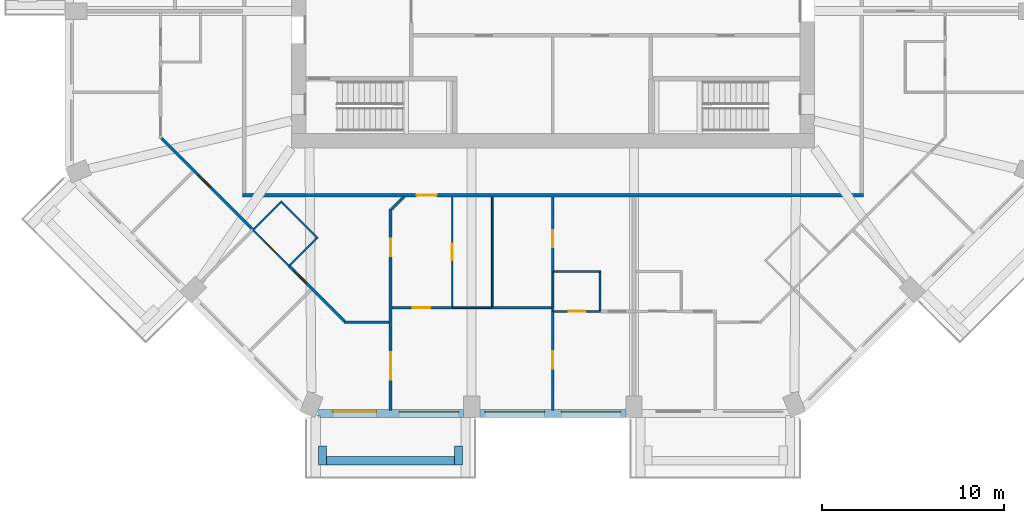
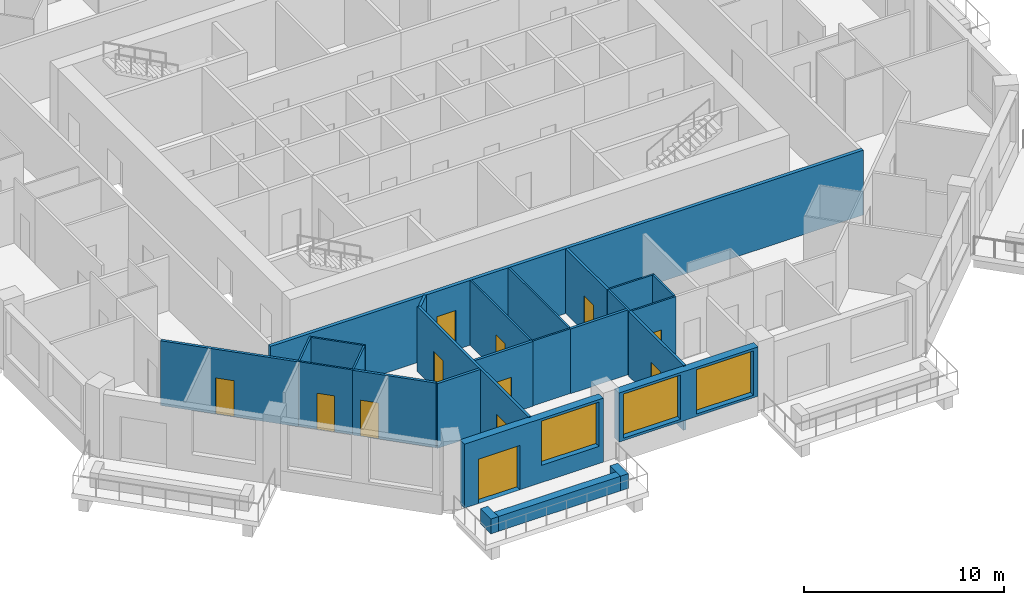
# One storey, part 3 of 13: 26 walls, 12 doors, 3 windows, 15 openings.
"""IFC4 building model written with IfcOpenShell, lengths in metres."""

from ifc_helpers import new_model, si_unit, direction, frame, frame_2d, origin, place, context, subcontext, project, spatial, rectangle, extrude, material, layer, layer_set, type_object, element, fill, save


model = new_model("IFC4")

# Units and contexts
model_context = context("Model", 3, precision=1e-05, world=origin(), true_north=direction((0.0, 1.0)))
body_context = subcontext(model_context, "Body", "Model", "MODEL_VIEW")
ifc_project = project(units=[si_unit("LENGTHUNIT", "METRE"), si_unit("AREAUNIT", "SQUARE_METRE"), si_unit("VOLUMEUNIT", "CUBIC_METRE"), si_unit("PLANEANGLEUNIT", "RADIAN"), si_unit("MASSUNIT", "GRAM", prefix="KILO")], contexts=[model_context])

# Site, building, storey
site_placement = place(None, origin())
site = spatial("IfcSite", under=ifc_project, at=site_placement, CompositionType="ELEMENT")
building_placement = place(site_placement, origin())
building = spatial("IfcBuilding", under=site, at=building_placement, Name="Msitu Wima Residences", CompositionType="ELEMENT")
storey_placement = place(building_placement, frame((0.0, 0.0, 110.699951171875)))
storey = spatial("IfcBuildingStorey", under=building, at=storey_placement, Name="L25", CompositionType="ELEMENT", Elevation=110.699951171875)

# Walls
ifc_material_1 = material(Name="Facing brick")
ifc_layer_1 = layer(ifc_material_1, 0.06494140625, Name="Facing brick")
ifc_material_2 = material(Name="Concrete C40/50", Category="concrete")
ifc_layer_2 = layer(ifc_material_2, 0.156005859375, Name="Concrete C40/50")
ifc_material_3 = material(Name="Waterproofing membrane")
ifc_layer_3 = layer(ifc_material_3, 0.00390625, Name="Waterproofing membrane")
ifc_material_4 = material(Name="Planting soil and planting")
ifc_layer_4 = layer(ifc_material_4, 0.22509765625, Name="Planting soil and planting")
ifc_layer_set_1 = layer_set([ifc_layer_1, ifc_layer_2, ifc_layer_3, ifc_layer_4], Name="Concrete C40/50")
wall_type_1 = type_object("IfcWallType", Name="Balcony planter PLANTER PL450", PredefinedType="USERDEFINED", material=ifc_layer_set_1)
wall_1_placement = place(storey_placement, frame((-12.455810546875, -29.22509765625, 0.0), z_axis=(0.0, 0.0, 1.0), x_axis=(1.0, 0.0, 0.0)))
element("IfcWall", 1, at=wall_1_placement, inside=storey, type_object=wall_type_1, Name="Balcony planter S0 L25", ObjectType="PLANTER", PredefinedType="USERDEFINED", context=body_context, shape_type="SweptSolid", body=[
    extrude(rectangle(XDim=7.037109375, YDim=0.449951171875, at=frame_2d((3.5185546875, 0.0))), origin(), (0.0, 0.0, 1.0), 0.900146484375),
])
for number, where, z_axis, x_axis, name in (
    (2, (-12.680908203125, -28.39990234375, 0.0), (0.0, 0.0, 1.0), (0.0, -1.0, 0.0), "Balcony planter S0 L25"),
    (3, (-5.193603515625, -28.39990234375, 0.0), (0.0, 0.0, 1.0), (0.0, -1.0, 0.0), "Balcony planter S0 L25"),
):
    element("IfcWall", number, at=place(storey_placement, frame(where, z_axis=z_axis, x_axis=x_axis)), inside=storey, type_object=wall_type_1, Name=name, ObjectType="PLANTER", PredefinedType="USERDEFINED", context=body_context, shape_type="SweptSolid", body=[
        extrude(rectangle(XDim=1.050048828125, YDim=0.449951171875, at=frame_2d((0.52490234375, 0.0))), origin(), (0.0, 0.0, 1.0), 0.900146484375),
    ])

# Wall, openings, door, window
ifc_material_5 = material(Name="Brick (red buff mix)", Category="masonry")
ifc_layer_5 = layer(ifc_material_5, 0.449951171875)
ifc_layer_set_2 = layer_set([ifc_layer_5], Name="Brick (red buff mix)")
wall_type_2 = type_object("IfcWallType", Name="Brick infill wall BW450", PredefinedType="SOLIDWALL", material=ifc_layer_set_2)
wall_2_placement = place(storey_placement, frame((-12.918701171875, -26.625, 0.0), z_axis=(0.0, 0.0, 1.0), x_axis=(1.0, 0.0, 0.0)))
wall_2 = element("IfcWall", 4, at=wall_2_placement, inside=storey, type_object=wall_type_2, Name="Brick infill wall L25 S0", PredefinedType="SOLIDWALL", context=body_context, shape_type="SweptSolid", body=[
    extrude(rectangle(XDim=8.0, YDim=0.449951171875, at=frame_2d((4.0, 0.0))), origin(), (0.0, 0.0, 1.0), 3.900146484375),
])
opening_1_placement = place(wall_2_placement, frame((0.800048828125, 0.0, 0.0)))
opening_1 = element("IfcOpeningElement", 5, at=opening_1_placement, cuts=wall_2, Name="Opening D25-26.006", PredefinedType="OPENING", context=body_context, shape_type="SweptSolid", body=[
    extrude(rectangle(XDim=2.39990234375, YDim=2.699951171875, at=frame_2d((1.199951171875, 1.35009765625))), frame((0.0, 0.23486328125, 0.0), z_axis=(0.0, -1.0, 0.0), x_axis=(1.0, 0.0, 0.0)), (0.0, 0.0, 1.0), 0.469970703125),
])
opening_2_placement = place(wall_2_placement, frame((4.4501953125, 0.0, 1.050048828125)))
opening_2 = element("IfcOpeningElement", 6, at=opening_2_placement, cuts=wall_2, Name="Opening W25-26.016", PredefinedType="OPENING", context=body_context, shape_type="SweptSolid", body=[
    extrude(rectangle(XDim=3.300048828125, YDim=2.699951171875, at=frame_2d((1.64990234375, 1.35009765625))), frame((0.0, 0.23486328125, 0.0), z_axis=(0.0, -1.0, 0.0), x_axis=(1.0, 0.0, 0.0)), (0.0, 0.0, 1.0), 0.469970703125),
])
ifc_material_6 = material(Name="Anodised aluminium, bronze finish, clear low-emissivity double glazing", Category="aluminium")
door_type_1 = type_object("IfcDoorType", Name="Balcony door D2400x2700", OperationType="SLIDING_TO_LEFT", PredefinedType="DOOR", material=ifc_material_6)
door_1_placement = place(opening_1_placement, origin())
door_1 = element("IfcDoor", 7, at=door_1_placement, inside=storey, type_object=door_type_1, Name="Balcony door L25 S0", OperationType="SINGLE_SWING_LEFT", OverallHeight=2.699951171875, OverallWidth=2.39990234375, PredefinedType="DOOR", context=body_context, shape_type="SweptSolid", body=[
    extrude(rectangle(XDim=2.39990234375, YDim=2.699951171875, at=frame_2d((1.199951171875, 1.35009765625))), frame((0.0, 0.1298828125, 0.0), z_axis=(0.0, -1.0, 0.0), x_axis=(1.0, 0.0, 0.0)), (0.0, 0.0, 1.0), 0.050048828125),
])
fill(opening_1, door_1)
window_type = type_object("IfcWindowType", Name="Window W3300x2700", PartitioningType="DOUBLE_PANEL_VERTICAL", PredefinedType="WINDOW", material=ifc_material_6)
window_1_placement = place(opening_2_placement, origin())
window_1 = element("IfcWindow", 8, at=window_1_placement, inside=storey, type_object=window_type, Name="Window L25 S0.2", OverallHeight=2.699951171875, OverallWidth=3.300048828125, PartitioningType="SINGLE_PANEL", PredefinedType="WINDOW", context=body_context, shape_type="SweptSolid", body=[
    extrude(rectangle(XDim=3.300048828125, YDim=2.699951171875, at=frame_2d((1.64990234375, 1.35009765625))), frame((0.0, 0.135009765625, 0.0), z_axis=(0.0, -1.0, 0.0), x_axis=(1.0, 0.0, 0.0)), (0.0, 0.0, 1.0), 0.06005859375),
])
fill(opening_2, window_1)

# Wall, openings, windows
wall_3_placement = place(storey_placement, frame((-4.0185546875, -26.625, 0.900146484375), z_axis=(0.0, 0.0, 1.0), x_axis=(1.0, 0.0, 0.0)))
wall_3 = element("IfcWall", 9, at=wall_3_placement, inside=storey, type_object=wall_type_2, Name="Brick infill wall L25 S1", PredefinedType="SOLIDWALL", context=body_context, shape_type="SweptSolid", body=[
    extrude(rectangle(XDim=8.037109375, YDim=0.449951171875, at=frame_2d((4.0185546875, 0.0))), origin(), (0.0, 0.0, 1.0), 3.0),
])
opening_3_placement = place(wall_3_placement, frame((0.2685546875, 0.0, 0.14990234375)))
opening_3 = element("IfcOpeningElement", 10, at=opening_3_placement, cuts=wall_3, Name="Opening W25-26.017", PredefinedType="OPENING", context=body_context, shape_type="SweptSolid", body=[
    extrude(rectangle(XDim=3.300048828125, YDim=2.699951171875, at=frame_2d((1.64990234375, 1.35009765625))), frame((0.0, 0.23486328125, 0.0), z_axis=(0.0, -1.0, 0.0), x_axis=(1.0, 0.0, 0.0)), (0.0, 0.0, 1.0), 0.469970703125),
])
opening_4_placement = place(wall_3_placement, frame((4.46875, 0.0, 0.14990234375)))
opening_4 = element("IfcOpeningElement", 11, at=opening_4_placement, cuts=wall_3, Name="Opening W25-26.018", PredefinedType="OPENING", context=body_context, shape_type="SweptSolid", body=[
    extrude(rectangle(XDim=3.300048828125, YDim=2.699951171875, at=frame_2d((1.64990234375, 1.35009765625))), frame((0.0, 0.23486328125, 0.0), z_axis=(0.0, -1.0, 0.0), x_axis=(1.0, 0.0, 0.0)), (0.0, 0.0, 1.0), 0.469970703125),
])
window_2_placement = place(opening_3_placement, origin())
window_2 = element("IfcWindow", 12, at=window_2_placement, inside=storey, type_object=window_type, Name="Window L25 S1.1", OverallHeight=2.699951171875, OverallWidth=3.300048828125, PartitioningType="SINGLE_PANEL", PredefinedType="WINDOW", context=body_context, shape_type="SweptSolid", body=[
    extrude(rectangle(XDim=3.300048828125, YDim=2.699951171875, at=frame_2d((1.64990234375, 1.35009765625))), frame((0.0, 0.135009765625, 0.0), z_axis=(0.0, -1.0, 0.0), x_axis=(1.0, 0.0, 0.0)), (0.0, 0.0, 1.0), 0.06005859375),
])
fill(opening_3, window_2)
window_3_placement = place(opening_4_placement, origin())
window_3 = element("IfcWindow", 13, at=window_3_placement, inside=storey, type_object=window_type, Name="Window L25 S1.2", OverallHeight=2.699951171875, OverallWidth=3.300048828125, PartitioningType="SINGLE_PANEL", PredefinedType="WINDOW", context=body_context, shape_type="SweptSolid", body=[
    extrude(rectangle(XDim=3.300048828125, YDim=2.699951171875, at=frame_2d((1.64990234375, 1.35009765625))), frame((0.0, 0.135009765625, 0.0), z_axis=(0.0, -1.0, 0.0), x_axis=(1.0, 0.0, 0.0)), (0.0, 0.0, 1.0), 0.06005859375),
])
fill(opening_4, window_3)

# Wall, opening, door
ifc_material_7 = material(Name="Plaster")
ifc_layer_6 = layer(ifc_material_7, 0.011962890625, Name="Plaster")
ifc_material_8 = material(Name="Concrete blockwork", Category="masonry")
ifc_layer_7 = layer(ifc_material_8, 0.176025390625, Name="Concrete blockwork")
ifc_layer_8 = layer(ifc_material_7, 0.011962890625, Name="Plaster")
ifc_layer_set_3 = layer_set([ifc_layer_6, ifc_layer_7, ifc_layer_8], Name="Concrete blockwork")
wall_type_3 = type_object("IfcWallType", Name="Corridor wall FW200", PredefinedType="PARTITIONING", material=ifc_layer_set_3)
wall_4_placement = place(storey_placement, frame((-17.10009765625, -14.60009765625, 0.0), z_axis=(0.0, 0.0, 1.0), x_axis=(1.0, 0.0, 0.0)))
wall_4 = element("IfcWall", 14, at=wall_4_placement, inside=storey, type_object=wall_type_3, Name="Corridor wall", PredefinedType="PARTITIONING", context=body_context, shape_type="SweptSolid", body=[
    extrude(rectangle(XDim=34.2001953125, YDim=0.199951171875, at=frame_2d((17.10009765625, 0.0))), origin(), (0.0, 0.0, 1.0), 3.949951171875),
])
opening_5_placement = place(wall_4_placement, frame((9.60009765625, 0.0, 0.0)))
opening_5 = element("IfcOpeningElement", 15, at=opening_5_placement, cuts=wall_4, Name="Opening D25-26.013", PredefinedType="OPENING", context=body_context, shape_type="SweptSolid", body=[
    extrude(rectangle(XDim=1.10009765625, YDim=2.39990234375, at=frame_2d((0.550048828125, 1.199951171875))), frame((0.0, 0.10986328125, 0.0), z_axis=(0.0, -1.0, 0.0), x_axis=(1.0, 0.0, 0.0)), (0.0, 0.0, 1.0), 0.219970703125),
])
ifc_material_9 = material(Name="Timber flush door, fire resisting, self-closing", Category="wood")
door_type_2 = type_object("IfcDoorType", Name="Flat entrance door D01 1100x2400", OperationType="SINGLE_SWING_LEFT", PredefinedType="DOOR", material=ifc_material_9)
door_2_placement = place(opening_5_placement, origin())
door_2 = element("IfcDoor", 16, at=door_2_placement, inside=storey, type_object=door_type_2, Name="Flat entrance door", OperationType="SINGLE_SWING_RIGHT", OverallHeight=2.39990234375, OverallWidth=1.10009765625, PredefinedType="DOOR", context=body_context, shape_type="SweptSolid", body=[
    extrude(rectangle(XDim=1.10009765625, YDim=2.39990234375, at=frame_2d((0.550048828125, 1.199951171875))), frame((0.0, 0.02490234375, 0.0), z_axis=(0.0, -1.0, 0.0), x_axis=(1.0, 0.0, 0.0)), (0.0, 0.0, 1.0), 0.050048828125),
])
fill(opening_5, door_2)

ifc_layer_9 = layer(ifc_material_7, 0.011962890625, Name="Plaster")
ifc_layer_10 = layer(ifc_material_8, 0.1259765625, Name="Concrete blockwork")
ifc_layer_11 = layer(ifc_material_7, 0.011962890625, Name="Plaster")
ifc_layer_set_4 = layer_set([ifc_layer_9, ifc_layer_10, ifc_layer_11], Name="Concrete blockwork")
wall_type_4 = type_object("IfcWallType", Name="Partition PW150", PredefinedType="PARTITIONING", material=ifc_layer_set_4)
wall_5_placement = place(storey_placement, frame((-21.546875, -11.470703125, 0.0), z_axis=(0.0, 0.0, 1.0), x_axis=(0.707106781187, -0.707106781187, 0.0)))
wall_5 = element("IfcWall", 17, at=wall_5_placement, inside=storey, type_object=wall_type_4, Name="Partition", PredefinedType="PARTITIONING", context=body_context, shape_type="SweptSolid", body=[
    extrude(rectangle(XDim=7.125, YDim=0.14990234375, at=frame_2d((3.5625, 0.0))), origin(), (0.0, 0.0, 1.0), 3.949951171875),
])
opening_6_placement = place(wall_5_placement, frame((2.85009765625, 0.0, 0.0)))
opening_6 = element("IfcOpeningElement", 18, at=opening_6_placement, cuts=wall_5, Name="Opening D25-26.062", PredefinedType="OPENING", context=body_context, shape_type="SweptSolid", body=[
    extrude(rectangle(XDim=0.949951171875, YDim=2.199951171875, at=frame_2d((0.47509765625, 1.10009765625))), frame((0.0, 0.0849609375, 0.0), z_axis=(0.0, -1.0, 0.0), x_axis=(1.0, 0.0, 0.0)), (0.0, 0.0, 1.0), 0.169921875),
])
ifc_material_10 = material(Name="Timber flush door", Category="wood")
door_type_3 = type_object("IfcDoorType", Name="Room door D12 950x2200", OperationType="SINGLE_SWING_LEFT", PredefinedType="DOOR", material=ifc_material_10)
door_3_placement = place(opening_6_placement, origin())
door_3 = element("IfcDoor", 19, at=door_3_placement, inside=storey, type_object=door_type_3, Name="Room door", OperationType="SINGLE_SWING_RIGHT", OverallHeight=2.199951171875, OverallWidth=0.949951171875, PredefinedType="DOOR", context=body_context, shape_type="SweptSolid", body=[
    extrude(rectangle(XDim=0.949951171875, YDim=2.199951171875, at=frame_2d((0.47509765625, 1.10009765625))), frame((0.0, 0.02490234375, 0.0), z_axis=(0.0, -1.0, 0.0), x_axis=(1.0, 0.0, 0.0)), (0.0, 0.0, 1.0), 0.050048828125),
])
fill(opening_6, door_3)

wall_6_placement = place(storey_placement, frame((-14.529052734375, -18.48876953125, 0.0), z_axis=(0.0, 0.0, 1.0), x_axis=(0.707135005059, -0.707078556188, 0.0)))
wall_6 = element("IfcWall", 20, at=wall_6_placement, inside=storey, type_object=wall_type_4, Name="Partition", PredefinedType="PARTITIONING", context=body_context, shape_type="SweptSolid", body=[
    extrude(rectangle(XDim=4.324951171875, YDim=0.14990234375, at=frame_2d((2.16259765625, 0.0))), origin(), (0.0, 0.0, 1.0), 3.949951171875),
])
opening_7_placement = place(wall_6_placement, frame((0.39990234375, 0.0, 0.0)))
opening_7 = element("IfcOpeningElement", 21, at=opening_7_placement, cuts=wall_6, Name="Opening D25-26.066", PredefinedType="OPENING", context=body_context, shape_type="SweptSolid", body=[
    extrude(rectangle(XDim=0.949951171875, YDim=2.199951171875, at=frame_2d((0.47509765625, 1.10009765625))), frame((0.0, 0.0849609375, 0.0), z_axis=(0.0, -1.0, 0.0), x_axis=(1.0, 0.0, 0.0)), (0.0, 0.0, 1.0), 0.169921875),
])
door_4_placement = place(opening_7_placement, origin())
door_4 = element("IfcDoor", 22, at=door_4_placement, inside=storey, type_object=door_type_3, Name="Room door", OperationType="SINGLE_SWING_LEFT", OverallHeight=2.199951171875, OverallWidth=0.949951171875, PredefinedType="DOOR", context=body_context, shape_type="SweptSolid", body=[
    extrude(rectangle(XDim=0.949951171875, YDim=2.199951171875, at=frame_2d((0.47509765625, 1.10009765625))), frame((0.0, 0.02490234375, 0.0), z_axis=(0.0, -1.0, 0.0), x_axis=(1.0, 0.0, 0.0)), (0.0, 0.0, 1.0), 0.050048828125),
])
fill(opening_7, door_4)

# Wall
wall_7_placement = place(storey_placement, frame((-11.49267578125, -21.60009765625, 0.0), z_axis=(0.0, 0.0, 1.0), x_axis=(1.0, 0.0, 0.0)))
element("IfcWall", 23, at=wall_7_placement, inside=storey, type_object=wall_type_4, Name="Partition", PredefinedType="PARTITIONING", context=body_context, shape_type="SweptSolid", body=[
    extrude(rectangle(XDim=2.48046875, YDim=0.14990234375, at=frame_2d((1.240234375, 0.0))), origin(), (0.0, 0.0, 1.0), 3.949951171875),
])

# Wall, openings, doors
wall_8_placement = place(storey_placement, frame((-8.937255859375, -26.455078125, 0.0), z_axis=(0.0, 0.0, 1.0), x_axis=(0.0, 1.0, 0.0)))
wall_8 = element("IfcWall", 24, at=wall_8_placement, inside=storey, type_object=wall_type_4, Name="Partition", PredefinedType="PARTITIONING", context=body_context, shape_type="SweptSolid", body=[
    extrude(rectangle(XDim=11.095703125, YDim=0.14990234375, at=frame_2d((5.5478515625, 0.0))), origin(), (0.0, 0.0, 1.0), 3.949951171875),
])
opening_8_placement = place(wall_8_placement, frame((8.5, 0.0, 0.0)))
opening_8 = element("IfcOpeningElement", 25, at=opening_8_placement, cuts=wall_8, Name="Opening D25-26.061", PredefinedType="OPENING", context=body_context, shape_type="SweptSolid", body=[
    extrude(rectangle(XDim=0.949951171875, YDim=2.199951171875, at=frame_2d((0.47509765625, 1.10009765625))), frame((0.0, 0.0849609375, 0.0), z_axis=(0.0, -1.0, 0.0), x_axis=(1.0, 0.0, 0.0)), (0.0, 0.0, 1.0), 0.169921875),
])
opening_9_placement = place(wall_8_placement, frame((1.699951171875, 0.0, 0.0)))
opening_9 = element("IfcOpeningElement", 26, at=opening_9_placement, cuts=wall_8, Name="Opening D25-26.070", PredefinedType="OPENING", context=body_context, shape_type="SweptSolid", body=[
    extrude(rectangle(XDim=1.5, YDim=2.199951171875, at=frame_2d((0.75, 1.10009765625))), frame((0.0, 0.0849609375, 0.0), z_axis=(0.0, -1.0, 0.0), x_axis=(1.0, 0.0, 0.0)), (0.0, 0.0, 1.0), 0.169921875),
])
ifc_material_11 = material(Name="Timber double door", Category="wood")
door_type_4 = type_object("IfcDoorType", Name="Double door D04 1500x2200", OperationType="DOUBLE_DOOR_SINGLE_SWING", PredefinedType="DOOR", material=ifc_material_11)
door_5_placement = place(opening_9_placement, origin())
door_5 = element("IfcDoor", 27, at=door_5_placement, inside=storey, type_object=door_type_4, Name="Double door", OperationType="DOUBLE_DOOR_SINGLE_SWING", OverallHeight=2.199951171875, OverallWidth=1.5, PredefinedType="DOOR", context=body_context, shape_type="SweptSolid", body=[
    extrude(rectangle(XDim=1.5, YDim=2.199951171875, at=frame_2d((0.75, 1.10009765625))), frame((0.0, 0.02490234375, 0.0), z_axis=(0.0, -1.0, 0.0), x_axis=(1.0, 0.0, 0.0)), (0.0, 0.0, 1.0), 0.050048828125),
])
fill(opening_9, door_5)
door_6_placement = place(opening_8_placement, origin())
door_6 = element("IfcDoor", 28, at=door_6_placement, inside=storey, type_object=door_type_3, Name="Room door", OperationType="SINGLE_SWING_RIGHT", OverallHeight=2.199951171875, OverallWidth=0.949951171875, PredefinedType="DOOR", context=body_context, shape_type="SweptSolid", body=[
    extrude(rectangle(XDim=0.949951171875, YDim=2.199951171875, at=frame_2d((0.47509765625, 1.10009765625))), frame((0.0, 0.02490234375, 0.0), z_axis=(0.0, -1.0, 0.0), x_axis=(1.0, 0.0, 0.0)), (0.0, 0.0, 1.0), 0.050048828125),
])
fill(opening_8, door_6)

# Wall, opening, door
wall_9_placement = place(storey_placement, frame((-8.8623046875, -20.800048828125, 0.0), z_axis=(0.0, 0.0, 1.0), x_axis=(1.0, 0.0, 0.0)))
wall_9 = element("IfcWall", 29, at=wall_9_placement, inside=storey, type_object=wall_type_4, Name="Partition", PredefinedType="PARTITIONING", context=body_context, shape_type="SweptSolid", body=[
    extrude(rectangle(XDim=3.344970703125, YDim=0.14990234375, at=frame_2d((1.67236328125, 0.0))), origin(), (0.0, 0.0, 1.0), 3.949951171875),
])
opening_10_placement = place(wall_9_placement, frame((1.14990234375, 0.0, 0.0)))
opening_10 = element("IfcOpeningElement", 30, at=opening_10_placement, cuts=wall_9, Name="Opening D25-26.065", PredefinedType="OPENING", context=body_context, shape_type="SweptSolid", body=[
    extrude(rectangle(XDim=0.949951171875, YDim=2.199951171875, at=frame_2d((0.47509765625, 1.10009765625))), frame((0.0, 0.0849609375, 0.0), z_axis=(0.0, -1.0, 0.0), x_axis=(1.0, 0.0, 0.0)), (0.0, 0.0, 1.0), 0.169921875),
])
door_7_placement = place(opening_10_placement, origin())
door_7 = element("IfcDoor", 31, at=door_7_placement, inside=storey, type_object=door_type_3, Name="Room door", OperationType="SINGLE_SWING_RIGHT", OverallHeight=2.199951171875, OverallWidth=0.949951171875, PredefinedType="DOOR", context=body_context, shape_type="SweptSolid", body=[
    extrude(rectangle(XDim=0.949951171875, YDim=2.199951171875, at=frame_2d((0.47509765625, 1.10009765625))), frame((0.0, 0.02490234375, 0.0), z_axis=(0.0, -1.0, 0.0), x_axis=(1.0, 0.0, 0.0)), (0.0, 0.0, 1.0), 0.050048828125),
])
fill(opening_10, door_7)

# Walls
wall_10_placement = place(storey_placement, frame((-8.88427734375, -15.38134765625, 0.0), z_axis=(0.0, 0.0, 1.0), x_axis=(0.707106781187, 0.707106781187, 0.0)))
element("IfcWall", 32, at=wall_10_placement, inside=storey, type_object=wall_type_4, Name="Partition", PredefinedType="PARTITIONING", context=body_context, shape_type="SweptSolid", body=[
    extrude(rectangle(XDim=1.005126953125, YDim=0.14990234375, at=frame_2d((0.50244140625, 0.0))), origin(), (0.0, 0.0, 1.0), 3.949951171875),
])
wall_11_placement = place(storey_placement, frame((-3.357177734375, -20.800048828125, 0.0), z_axis=(0.0, 0.0, 1.0), x_axis=(1.0, 0.0, 0.0)))
element("IfcWall", 33, at=wall_11_placement, inside=storey, type_object=wall_type_4, Name="Partition", PredefinedType="PARTITIONING", context=body_context, shape_type="SweptSolid", body=[
    extrude(rectangle(XDim=3.30712890625, YDim=0.14990234375, at=frame_2d((1.653564453125, 0.0))), origin(), (0.0, 0.0, 1.0), 3.949951171875),
])

# Wall, opening, door
wall_12_placement = place(storey_placement, frame((0.0, -26.455078125, 0.0), z_axis=(0.0, 0.0, 1.0), x_axis=(0.0, 1.0, 0.0)))
wall_12 = element("IfcWall", 34, at=wall_12_placement, inside=storey, type_object=wall_type_4, Name="Partition", PredefinedType="PARTITIONING", context=body_context, shape_type="SweptSolid", body=[
    extrude(rectangle(XDim=5.47509765625, YDim=0.14990234375, at=frame_2d((2.737548828125, 0.0))), origin(), (0.0, 0.0, 1.0), 3.949951171875),
])
opening_11_placement = place(wall_12_placement, frame((2.300048828125, 0.0, 0.0)))
opening_11 = element("IfcOpeningElement", 35, at=opening_11_placement, cuts=wall_12, Name="Opening D25-26.072", PredefinedType="OPENING", context=body_context, shape_type="SweptSolid", body=[
    extrude(rectangle(XDim=0.949951171875, YDim=2.199951171875, at=frame_2d((0.47509765625, 1.10009765625))), frame((0.0, 0.0849609375, 0.0), z_axis=(0.0, -1.0, 0.0), x_axis=(1.0, 0.0, 0.0)), (0.0, 0.0, 1.0), 0.169921875),
])
door_8_placement = place(opening_11_placement, origin())
door_8 = element("IfcDoor", 36, at=door_8_placement, inside=storey, type_object=door_type_3, Name="Room door", OperationType="SINGLE_SWING_RIGHT", OverallHeight=2.199951171875, OverallWidth=0.949951171875, PredefinedType="DOOR", context=body_context, shape_type="SweptSolid", body=[
    extrude(rectangle(XDim=0.949951171875, YDim=2.199951171875, at=frame_2d((0.47509765625, 1.10009765625))), frame((0.0, 0.02490234375, 0.0), z_axis=(0.0, -1.0, 0.0), x_axis=(1.0, 0.0, 0.0)), (0.0, 0.0, 1.0), 0.050048828125),
])
fill(opening_11, door_8)

wall_13_placement = place(storey_placement, frame((0.0, -18.820068359375, 0.0), z_axis=(0.0, 0.0, 1.0), x_axis=(0.0, 1.0, 0.0)))
wall_13 = element("IfcWall", 37, at=wall_13_placement, inside=storey, type_object=wall_type_4, Name="Partition", PredefinedType="PARTITIONING", context=body_context, shape_type="SweptSolid", body=[
    extrude(rectangle(XDim=4.1201171875, YDim=0.14990234375, at=frame_2d((2.06005859375, 0.0))), origin(), (0.0, 0.0, 1.0), 3.949951171875),
])
opening_12_placement = place(wall_13_placement, frame((1.35009765625, 0.0, 0.0)))
opening_12 = element("IfcOpeningElement", 38, at=opening_12_placement, cuts=wall_13, Name="Opening D25-26.076", PredefinedType="OPENING", context=body_context, shape_type="SweptSolid", body=[
    extrude(rectangle(XDim=0.949951171875, YDim=2.199951171875, at=frame_2d((0.47509765625, 1.10009765625))), frame((0.0, 0.0849609375, 0.0), z_axis=(0.0, -1.0, 0.0), x_axis=(1.0, 0.0, 0.0)), (0.0, 0.0, 1.0), 0.169921875),
])
door_9_placement = place(opening_12_placement, origin())
door_9 = element("IfcDoor", 39, at=door_9_placement, inside=storey, type_object=door_type_3, Name="Room door", OperationType="SINGLE_SWING_RIGHT", OverallHeight=2.199951171875, OverallWidth=0.949951171875, PredefinedType="DOOR", context=body_context, shape_type="SweptSolid", body=[
    extrude(rectangle(XDim=0.949951171875, YDim=2.199951171875, at=frame_2d((0.47509765625, 1.10009765625))), frame((0.0, 0.02490234375, 0.0), z_axis=(0.0, -1.0, 0.0), x_axis=(1.0, 0.0, 0.0)), (0.0, 0.0, 1.0), 0.050048828125),
])
fill(opening_12, door_9)

# Wall
ifc_material_12 = material(Name="Ceramic tiles")
ifc_layer_12 = layer(ifc_material_12, 0.008056640625, Name="Ceramic tiles")
ifc_material_13 = material(Name="Moisture-resistant board")
ifc_layer_13 = layer(ifc_material_13, 0.012451171875, Name="Moisture-resistant board")
ifc_material_14 = material(Name="Light-gauge stud framing with mineral wool")
ifc_layer_14 = layer(ifc_material_14, 0.06689453125, Name="Light-gauge stud framing with mineral wool")
ifc_layer_15 = layer(ifc_material_13, 0.012451171875, Name="Moisture-resistant board")
ifc_layer_set_5 = layer_set([ifc_layer_12, ifc_layer_13, ifc_layer_14, ifc_layer_15], Name="Light-gauge stud framing with mineral wool")
wall_type_5 = type_object("IfcWallType", Name="Wet wall PW100", PredefinedType="PARTITIONING", material=ifc_layer_set_5)
wall_14_placement = place(storey_placement, frame((-16.49462890625, -16.49462890625, 0.0), z_axis=(0.0, 0.0, 1.0), x_axis=(0.707106781187, 0.707106781187, 0.0)))
element("IfcWall", 40, at=wall_14_placement, inside=storey, type_object=wall_type_5, Name="Wet wall", PredefinedType="PARTITIONING", context=body_context, shape_type="SweptSolid", body=[
    extrude(rectangle(XDim=2.22998046875, YDim=0.10009765625, at=frame_2d((1.114990234375, 0.0))), origin(), (0.0, 0.0, 1.0), 3.949951171875),
])

# Wall, opening, door
wall_15_placement = place(storey_placement, frame((-16.5087890625, -16.5087890625, 0.0), z_axis=(0.0, 0.0, 1.0), x_axis=(0.707063182409, -0.707150377276, 0.0)))
wall_15 = element("IfcWall", 41, at=wall_15_placement, inside=storey, type_object=wall_type_5, Name="Wet wall", PredefinedType="PARTITIONING", context=body_context, shape_type="SweptSolid", body=[
    extrude(rectangle(XDim=2.800048828125, YDim=0.10009765625, at=frame_2d((1.39990234375, 0.0))), origin(), (0.0, 0.0, 1.0), 3.949951171875),
])
opening_13_placement = place(wall_15_placement, frame((0.949951171875, 0.0, 0.0)))
opening_13 = element("IfcOpeningElement", 42, at=opening_13_placement, cuts=wall_15, Name="Opening D25-26.067", PredefinedType="OPENING", context=body_context, shape_type="SweptSolid", body=[
    extrude(rectangle(XDim=0.89990234375, YDim=2.199951171875, at=frame_2d((0.449951171875, 1.10009765625))), frame((0.0, 0.06005859375, 0.0), z_axis=(0.0, -1.0, 0.0), x_axis=(1.0, 0.0, 0.0)), (0.0, 0.0, 1.0), 0.1201171875),
])
ifc_material_15 = material(Name="Timber flush door, moisture resistant", Category="wood")
door_type_5 = type_object("IfcDoorType", Name="Bathroom door D03 900x2200", OperationType="SINGLE_SWING_LEFT", PredefinedType="DOOR", material=ifc_material_15)
door_10_placement = place(opening_13_placement, origin())
door_10 = element("IfcDoor", 43, at=door_10_placement, inside=storey, type_object=door_type_5, Name="Bathroom door", OperationType="SINGLE_SWING_RIGHT", OverallHeight=2.199951171875, OverallWidth=0.89990234375, PredefinedType="DOOR", context=body_context, shape_type="SweptSolid", body=[
    extrude(rectangle(XDim=0.89990234375, YDim=2.199951171875, at=frame_2d((0.449951171875, 1.10009765625))), frame((0.0, 0.02490234375, 0.0), z_axis=(0.0, -1.0, 0.0), x_axis=(1.0, 0.0, 0.0)), (0.0, 0.0, 1.0), 0.050048828125),
])
fill(opening_13, door_10)

# Walls
wall_16_placement = place(storey_placement, frame((-14.917724609375, -14.988525390625, 0.0), z_axis=(0.0, 0.0, 1.0), x_axis=(0.707063182409, -0.707150377276, 0.0)))
element("IfcWall", 44, at=wall_16_placement, inside=storey, type_object=wall_type_5, Name="Wet wall", PredefinedType="PARTITIONING", context=body_context, shape_type="SweptSolid", body=[
    extrude(rectangle(XDim=2.800048828125, YDim=0.10009765625, at=frame_2d((1.39990234375, 0.0))), origin(), (0.0, 0.0, 1.0), 3.949951171875),
])
wall_17_placement = place(storey_placement, frame((-14.49365234375, -18.453369140625, 0.0), z_axis=(0.0, 0.0, 1.0), x_axis=(0.707164905125, 0.70704865247, 0.0)))
element("IfcWall", 45, at=wall_17_placement, inside=storey, type_object=wall_type_5, Name="Wet wall", PredefinedType="PARTITIONING", context=body_context, shape_type="SweptSolid", body=[
    extrude(rectangle(XDim=2.10009765625, YDim=0.10009765625, at=frame_2d((1.050048828125, 0.0))), origin(), (0.0, 0.0, 1.0), 3.949951171875),
])
wall_18_placement = place(storey_placement, frame((-5.517333984375, -20.800048828125, 0.0), z_axis=(0.0, 0.0, 1.0), x_axis=(1.0, 0.0, 0.0)))
element("IfcWall", 46, at=wall_18_placement, inside=storey, type_object=wall_type_5, Name="Wet wall", PredefinedType="PARTITIONING", context=body_context, shape_type="SweptSolid", body=[
    extrude(rectangle(XDim=2.16015625, YDim=0.10009765625, at=frame_2d((1.080078125, 0.0))), origin(), (0.0, 0.0, 1.0), 3.949951171875),
])

# Wall, opening, door
wall_19_placement = place(storey_placement, frame((-5.537353515625, -20.72509765625, 0.0), z_axis=(0.0, 0.0, 1.0), x_axis=(0.0, 1.0, 0.0)))
wall_19 = element("IfcWall", 47, at=wall_19_placement, inside=storey, type_object=wall_type_5, Name="Wet wall", PredefinedType="PARTITIONING", context=body_context, shape_type="SweptSolid", body=[
    extrude(rectangle(XDim=6.025146484375, YDim=0.10009765625, at=frame_2d((3.0126953125, 0.0))), origin(), (0.0, 0.0, 1.0), 3.949951171875),
])
opening_14_placement = place(wall_19_placement, frame((2.550048828125, 0.0, 0.0)))
opening_14 = element("IfcOpeningElement", 48, at=opening_14_placement, cuts=wall_19, Name="Opening D25-26.063", PredefinedType="OPENING", context=body_context, shape_type="SweptSolid", body=[
    extrude(rectangle(XDim=0.89990234375, YDim=2.199951171875, at=frame_2d((0.449951171875, 1.10009765625))), frame((0.0, 0.06005859375, 0.0), z_axis=(0.0, -1.0, 0.0), x_axis=(1.0, 0.0, 0.0)), (0.0, 0.0, 1.0), 0.1201171875),
])
door_11_placement = place(opening_14_placement, origin())
door_11 = element("IfcDoor", 49, at=door_11_placement, inside=storey, type_object=door_type_5, Name="Bathroom door", OperationType="SINGLE_SWING_RIGHT", OverallHeight=2.199951171875, OverallWidth=0.89990234375, PredefinedType="DOOR", context=body_context, shape_type="SweptSolid", body=[
    extrude(rectangle(XDim=0.89990234375, YDim=2.199951171875, at=frame_2d((0.449951171875, 1.10009765625))), frame((0.0, 0.02490234375, 0.0), z_axis=(0.0, -1.0, 0.0), x_axis=(1.0, 0.0, 0.0)), (0.0, 0.0, 1.0), 0.050048828125),
])
fill(opening_14, door_11)

# Walls
wall_20_placement = place(storey_placement, frame((-3.337158203125, -20.75, 0.0), z_axis=(0.0, 0.0, 1.0), x_axis=(0.0, 1.0, 0.0)))
element("IfcWall", 50, at=wall_20_placement, inside=storey, type_object=wall_type_5, Name="Wet wall", PredefinedType="PARTITIONING", context=body_context, shape_type="SweptSolid", body=[
    extrude(rectangle(XDim=6.050048828125, YDim=0.10009765625, at=frame_2d((3.02490234375, 0.0))), origin(), (0.0, 0.0, 1.0), 3.949951171875),
])
wall_21_placement = place(storey_placement, frame((0.0, -20.97998046875, 0.0), z_axis=(0.0, 0.0, 1.0), x_axis=(0.0, 1.0, 0.0)))
element("IfcWall", 51, at=wall_21_placement, inside=storey, type_object=wall_type_5, Name="Wet wall", PredefinedType="PARTITIONING", context=body_context, shape_type="SweptSolid", body=[
    extrude(rectangle(XDim=2.159912109375, YDim=0.10009765625, at=frame_2d((1.080078125, 0.0))), origin(), (0.0, 0.0, 1.0), 3.949951171875),
])

# Wall, opening, door
wall_22_placement = place(storey_placement, frame((0.074951171875, -21.0, 0.0), z_axis=(0.0, 0.0, 1.0), x_axis=(1.0, 0.0, 0.0)))
wall_22 = element("IfcWall", 52, at=wall_22_placement, inside=storey, type_object=wall_type_5, Name="Wet wall", PredefinedType="PARTITIONING", context=body_context, shape_type="SweptSolid", body=[
    extrude(rectangle(XDim=2.545166015625, YDim=0.10009765625, at=frame_2d((1.2724609375, 0.0))), origin(), (0.0, 0.0, 1.0), 3.949951171875),
])
opening_15_placement = place(wall_22_placement, frame((0.800048828125, 0.0, 0.0)))
opening_15 = element("IfcOpeningElement", 53, at=opening_15_placement, cuts=wall_22, Name="Opening D25-26.073", PredefinedType="OPENING", context=body_context, shape_type="SweptSolid", body=[
    extrude(rectangle(XDim=0.89990234375, YDim=2.199951171875, at=frame_2d((0.449951171875, 1.10009765625))), frame((0.0, 0.06005859375, 0.0), z_axis=(0.0, -1.0, 0.0), x_axis=(1.0, 0.0, 0.0)), (0.0, 0.0, 1.0), 0.1201171875),
])
door_12_placement = place(opening_15_placement, origin())
door_12 = element("IfcDoor", 54, at=door_12_placement, inside=storey, type_object=door_type_5, Name="Bathroom door", OperationType="SINGLE_SWING_RIGHT", OverallHeight=2.199951171875, OverallWidth=0.89990234375, PredefinedType="DOOR", context=body_context, shape_type="SweptSolid", body=[
    extrude(rectangle(XDim=0.89990234375, YDim=2.199951171875, at=frame_2d((0.449951171875, 1.10009765625))), frame((0.0, 0.02490234375, 0.0), z_axis=(0.0, -1.0, 0.0), x_axis=(1.0, 0.0, 0.0)), (0.0, 0.0, 1.0), 0.050048828125),
])
fill(opening_15, door_12)

# Walls
wall_23_placement = place(storey_placement, frame((0.074951171875, -18.800048828125, 0.0), z_axis=(0.0, 0.0, 1.0), x_axis=(1.0, 0.0, 0.0)))
element("IfcWall", 55, at=wall_23_placement, inside=storey, type_object=wall_type_5, Name="Wet wall", PredefinedType="PARTITIONING", context=body_context, shape_type="SweptSolid", body=[
    extrude(rectangle(XDim=2.574951171875, YDim=0.10009765625, at=frame_2d((1.28759765625, 0.0))), origin(), (0.0, 0.0, 1.0), 3.949951171875),
])
wall_24_placement = place(storey_placement, frame((2.60009765625, -20.925048828125, 0.0), z_axis=(0.0, 0.0, 1.0), x_axis=(0.0, 1.0, 0.0)))
element("IfcWall", 56, at=wall_24_placement, inside=storey, type_object=wall_type_5, Name="Wet wall", PredefinedType="PARTITIONING", context=body_context, shape_type="SweptSolid", body=[
    extrude(rectangle(XDim=2.074951171875, YDim=0.10009765625, at=frame_2d((1.03759765625, 0.0))), origin(), (0.0, 0.0, 1.0), 3.949951171875),
])

save(model, "model.ifc")
